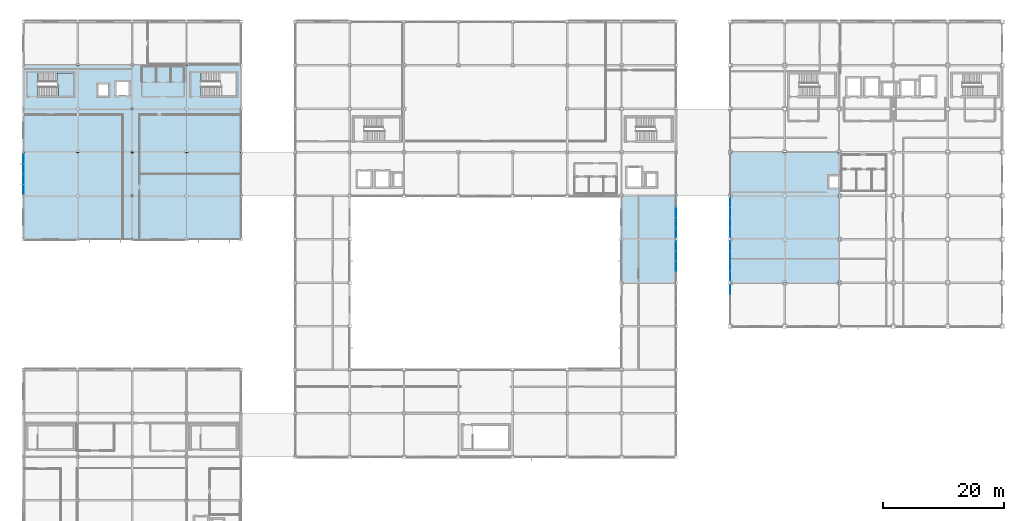
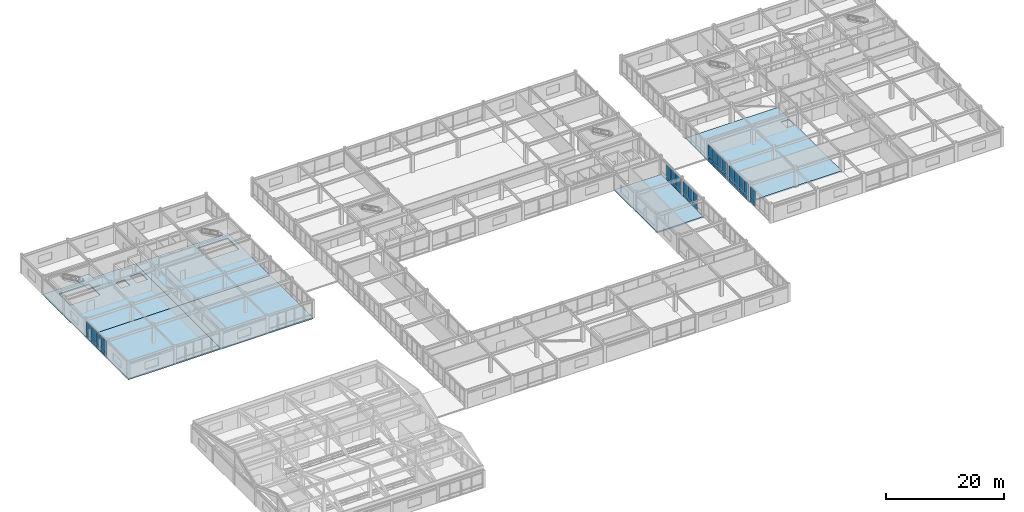
# One storey, part 87 of 113: 38 plates, 7 slabs, 7 elements without a shape of their own.
"""IFC4 building model written with IfcOpenShell, lengths in metres."""

from ifc_helpers import new_model, si_unit, direction, frame, origin, origin_2d, place, context, subcontext, project, spatial, polyline, rectangle, outline, extrude, material, layer, layer_set, type_object, element, aggregate, save


model = new_model("IFC4")

# Units and contexts
model_context = context("Model", 3, precision=1e-05, world=origin(), true_north=direction((0.0, 1.0)))
body_context = subcontext(model_context, "Body", "Model", "MODEL_VIEW")
ifc_project = project(units=[si_unit("LENGTHUNIT", "METRE"), si_unit("AREAUNIT", "SQUARE_METRE"), si_unit("VOLUMEUNIT", "CUBIC_METRE"), si_unit("PLANEANGLEUNIT", "RADIAN"), si_unit("MASSUNIT", "GRAM", prefix="KILO")], contexts=[model_context])

# Site, building, storey
site_placement = place(None, origin())
site = spatial("IfcSite", under=ifc_project, at=site_placement, CompositionType="ELEMENT")
building_placement = place(site_placement, origin())
building = spatial("IfcBuilding", under=site, at=building_placement, Name="Kazanami Central Library", CompositionType="ELEMENT")
storey_placement = place(building_placement, frame((0.0, 0.0, 8.800048828125)))
storey = spatial("IfcBuildingStorey", under=building, at=storey_placement, Name="L03", CompositionType="ELEMENT", Elevation=8.800048828125)

# Curtain wall, plates
ifc_material_1 = material(Name="Acid-Etched Low-E Laminated Glass", Category="glass")
curtain_wall_type_1 = type_object("IfcCurtainWallType", Name="CW-6750x3295-M180", PredefinedType="USERDEFINED", material=ifc_material_1)
curtain_wall_1_placement = place(storey_placement, origin())
curtain_wall_1 = element("IfcCurtainWall", 1, at=curtain_wall_1_placement, inside=storey, type_object=curtain_wall_type_1, Name="Unitised Curtain Wall CW-32 L03 W-1-09", ObjectType="UNITISED CURTAIN WALL", PredefinedType="USERDEFINED")
ifc_layer_1 = layer(ifc_material_1, 0.0439453125, Name="Acid-Etched Low-E Laminated Glass")
ifc_layer_set_1 = layer_set([ifc_layer_1], Name="Acid-Etched Low-E Laminated Glass")
plate_type_1 = type_object("IfcPlateType", Name="PLT-CW-P2", PredefinedType="CURTAIN_PANEL", material=ifc_layer_set_1)
plate_1_placement = place(storey_placement, frame((0.0, 65.8837890625, 0.81005859375), z_axis=(0.0, 0.0, 1.0), x_axis=(0.0, 1.0, 0.0)))
plate_1 = element("IfcPlate", 2, at=plate_1_placement, type_object=plate_type_1, Name="CW-32 panel 1.2", PredefinedType="CURTAIN_PANEL", context=body_context, shape_type="SweptSolid", body=[
    extrude(rectangle(XDim=1.597412109375, YDim=0.0439453125, at=origin_2d()), origin(), (0.0, 0.0, 1.0), 2.425048828125),
])
plate_2_placement = place(storey_placement, frame((0.0, 67.55615234375, 0.81005859375), z_axis=(0.0, 0.0, 1.0), x_axis=(0.0, 1.0, 0.0)))
plate_2 = element("IfcPlate", 3, at=plate_2_placement, type_object=plate_type_1, Name="CW-32 panel 2.2", PredefinedType="CURTAIN_PANEL", context=body_context, shape_type="SweptSolid", body=[
    extrude(rectangle(XDim=1.62744140625, YDim=0.0439453125, at=origin_2d()), origin(), (0.0, 0.0, 1.0), 2.425048828125),
])
plate_3_placement = place(storey_placement, frame((0.0, 69.24365234375, 0.81005859375), z_axis=(0.0, 0.0, 1.0), x_axis=(0.0, 1.0, 0.0)))
plate_3 = element("IfcPlate", 4, at=plate_3_placement, type_object=plate_type_1, Name="CW-32 panel 3.2", PredefinedType="CURTAIN_PANEL", context=body_context, shape_type="SweptSolid", body=[
    extrude(rectangle(XDim=1.62744140625, YDim=0.0439453125, at=origin_2d()), origin(), (0.0, 0.0, 1.0), 2.425048828125),
])
plate_4_placement = place(storey_placement, frame((0.0, 70.916259765625, 0.81005859375), z_axis=(0.0, 0.0, 1.0), x_axis=(0.0, 1.0, 0.0)))
plate_4 = element("IfcPlate", 5, at=plate_4_placement, type_object=plate_type_1, Name="CW-32 panel 4.2", PredefinedType="CURTAIN_PANEL", context=body_context, shape_type="SweptSolid", body=[
    extrude(rectangle(XDim=1.597412109375, YDim=0.0439453125, at=origin_2d()), origin(), (0.0, 0.0, 1.0), 2.425048828125),
])

curtain_wall_2_placement = place(storey_placement, origin())
curtain_wall_2 = element("IfcCurtainWall", 6, at=curtain_wall_2_placement, inside=storey, type_object=curtain_wall_type_1, Name="Covered Link Bridge Curtain Wall CW-32 L03 E-13-07", ObjectType="UNITISED CURTAIN WALL", PredefinedType="USERDEFINED")
ifc_material_2 = material(Name="Low-E Insulated Triple Glass", Category="glass")
ifc_layer_2 = layer(ifc_material_2, 0.0400390625, Name="Low-E Insulated Triple Glass")
ifc_layer_set_2 = layer_set([ifc_layer_2], Name="Low-E Insulated Triple Glass")
plate_type_2 = type_object("IfcPlateType", Name="PLT-CW-P3", PredefinedType="CURTAIN_PANEL", material=ifc_layer_set_2)
plate_5_placement = place(storey_placement, frame((108.0, 56.513671875, 0.81494140625), z_axis=(0.0, 0.0, 1.0), x_axis=(0.0, -1.0, 0.0)))
plate_5 = element("IfcPlate", 7, at=plate_5_placement, type_object=plate_type_2, Name="CW-32 panel 1.2", PredefinedType="CURTAIN_PANEL", context=body_context, shape_type="SweptSolid", body=[
    extrude(rectangle(XDim=1.58251953125, YDim=0.0400390625, at=origin_2d()), origin(), (0.0, 0.0, 1.0), 2.409912109375),
])
plate_6_placement = place(storey_placement, frame((108.0, 54.84375, 0.81494140625), z_axis=(0.0, 0.0, 1.0), x_axis=(0.0, -1.0, 0.0)))
plate_6 = element("IfcPlate", 8, at=plate_6_placement, type_object=plate_type_2, Name="CW-32 panel 2.2", PredefinedType="CURTAIN_PANEL", context=body_context, shape_type="SweptSolid", body=[
    extrude(rectangle(XDim=1.617431640625, YDim=0.0400390625, at=origin_2d()), origin(), (0.0, 0.0, 1.0), 2.409912109375),
])
plate_7_placement = place(storey_placement, frame((108.0, 53.15625, 0.81494140625), z_axis=(0.0, 0.0, 1.0), x_axis=(0.0, -1.0, 0.0)))
plate_7 = element("IfcPlate", 9, at=plate_7_placement, type_object=plate_type_2, Name="CW-32 panel 3.2", PredefinedType="CURTAIN_PANEL", context=body_context, shape_type="SweptSolid", body=[
    extrude(rectangle(XDim=1.617431640625, YDim=0.0400390625, at=origin_2d()), origin(), (0.0, 0.0, 1.0), 2.409912109375),
])

curtain_wall_3_placement = place(storey_placement, origin())
curtain_wall_3 = element("IfcCurtainWall", 10, at=curtain_wall_3_placement, inside=storey, type_object=curtain_wall_type_1, Name="Covered Link Bridge Curtain Wall CW-32 L03 E-13-08", ObjectType="UNITISED CURTAIN WALL", PredefinedType="USERDEFINED")
plate_8_placement = place(storey_placement, frame((108.0, 62.043701171875, 0.81494140625), z_axis=(0.0, 0.0, 1.0), x_axis=(0.0, -1.0, 0.0)))
plate_8 = element("IfcPlate", 11, at=plate_8_placement, type_object=plate_type_2, Name="CW-32 panel 2.2", PredefinedType="CURTAIN_PANEL", context=body_context, shape_type="SweptSolid", body=[
    extrude(rectangle(XDim=1.617431640625, YDim=0.0400390625, at=origin_2d()), origin(), (0.0, 0.0, 1.0), 2.409912109375),
])
plate_9_placement = place(storey_placement, frame((108.0, 60.356201171875, 0.81494140625), z_axis=(0.0, 0.0, 1.0), x_axis=(0.0, -1.0, 0.0)))
plate_9 = element("IfcPlate", 12, at=plate_9_placement, type_object=plate_type_2, Name="CW-32 panel 3.2", PredefinedType="CURTAIN_PANEL", context=body_context, shape_type="SweptSolid", body=[
    extrude(rectangle(XDim=1.617431640625, YDim=0.0400390625, at=origin_2d()), origin(), (0.0, 0.0, 1.0), 2.409912109375),
])
plate_10_placement = place(storey_placement, frame((108.0, 58.686279296875, 0.81494140625), z_axis=(0.0, 0.0, 1.0), x_axis=(0.0, -1.0, 0.0)))
plate_10 = element("IfcPlate", 13, at=plate_10_placement, type_object=plate_type_2, Name="CW-32 panel 4.2", PredefinedType="CURTAIN_PANEL", context=body_context, shape_type="SweptSolid", body=[
    extrude(rectangle(XDim=1.58251953125, YDim=0.0400390625, at=origin_2d()), origin(), (0.0, 0.0, 1.0), 2.409912109375),
])

# Curtain wall, plate
curtain_wall_type_2 = type_object("IfcCurtainWallType", Name="CW-6600x3295-M180", PredefinedType="USERDEFINED", material=ifc_material_1)
curtain_wall_4_placement = place(storey_placement, origin())
curtain_wall_4 = element("IfcCurtainWall", 14, at=curtain_wall_4_placement, inside=storey, type_object=curtain_wall_type_2, Name="Covered Link Bridge Curtain Wall CW-36 L03 W-14-06", ObjectType="UNITISED CURTAIN WALL", PredefinedType="USERDEFINED")
plate_11_placement = place(storey_placement, frame((117.0, 49.260009765625, 0.81005859375), z_axis=(0.0, 0.0, 1.0), x_axis=(0.0, 1.0, 0.0)))
plate_11 = element("IfcPlate", 15, at=plate_11_placement, type_object=plate_type_2, Name="CW-36 panel 4.2", PredefinedType="CURTAIN_PANEL", context=body_context, shape_type="SweptSolid", body=[
    extrude(rectangle(XDim=1.56005859375, YDim=0.0400390625, at=origin_2d()), origin(), (0.0, 0.0, 1.0), 2.425048828125),
])

# Curtain wall, plates
curtain_wall_5_placement = place(storey_placement, origin())
curtain_wall_5 = element("IfcCurtainWall", 16, at=curtain_wall_5_placement, inside=storey, type_object=curtain_wall_type_2, Name="Covered Link Bridge Curtain Wall CW-36 L03 W-14-07", ObjectType="UNITISED CURTAIN WALL", PredefinedType="USERDEFINED")
plate_12_placement = place(storey_placement, frame((117.0, 51.5400390625, 0.81005859375), z_axis=(0.0, 0.0, 1.0), x_axis=(0.0, 1.0, 0.0)))
plate_12 = element("IfcPlate", 17, at=plate_12_placement, type_object=plate_type_2, Name="CW-36 panel 1.2", PredefinedType="CURTAIN_PANEL", context=body_context, shape_type="SweptSolid", body=[
    extrude(rectangle(XDim=1.56005859375, YDim=0.0400390625, at=origin_2d()), origin(), (0.0, 0.0, 1.0), 2.425048828125),
])
plate_13_placement = place(storey_placement, frame((117.0, 53.175048828125, 0.81005859375), z_axis=(0.0, 0.0, 1.0), x_axis=(0.0, 1.0, 0.0)))
plate_13 = element("IfcPlate", 18, at=plate_13_placement, type_object=plate_type_2, Name="CW-36 panel 2.2", PredefinedType="CURTAIN_PANEL", context=body_context, shape_type="SweptSolid", body=[
    extrude(rectangle(XDim=1.590087890625, YDim=0.0400390625, at=origin_2d()), origin(), (0.0, 0.0, 1.0), 2.425048828125),
])
plate_14_placement = place(storey_placement, frame((117.0, 54.824951171875, 0.81005859375), z_axis=(0.0, 0.0, 1.0), x_axis=(0.0, 1.0, 0.0)))
plate_14 = element("IfcPlate", 19, at=plate_14_placement, type_object=plate_type_2, Name="CW-36 panel 3.2", PredefinedType="CURTAIN_PANEL", context=body_context, shape_type="SweptSolid", body=[
    extrude(rectangle(XDim=1.590087890625, YDim=0.0400390625, at=origin_2d()), origin(), (0.0, 0.0, 1.0), 2.425048828125),
])
plate_15_placement = place(storey_placement, frame((117.0, 56.4599609375, 0.81005859375), z_axis=(0.0, 0.0, 1.0), x_axis=(0.0, 1.0, 0.0)))
plate_15 = element("IfcPlate", 20, at=plate_15_placement, type_object=plate_type_2, Name="CW-36 panel 4.2", PredefinedType="CURTAIN_PANEL", context=body_context, shape_type="SweptSolid", body=[
    extrude(rectangle(XDim=1.56005859375, YDim=0.0400390625, at=origin_2d()), origin(), (0.0, 0.0, 1.0), 2.425048828125),
])

curtain_wall_6_placement = place(storey_placement, origin())
curtain_wall_6 = element("IfcCurtainWall", 21, at=curtain_wall_6_placement, inside=storey, type_object=curtain_wall_type_2, Name="Covered Link Bridge Curtain Wall CW-36 L03 W-14-08", ObjectType="UNITISED CURTAIN WALL", PredefinedType="USERDEFINED")
plate_16_placement = place(storey_placement, frame((117.0, 58.739990234375, 0.81005859375), z_axis=(0.0, 0.0, 1.0), x_axis=(0.0, 1.0, 0.0)))
plate_16 = element("IfcPlate", 22, at=plate_16_placement, type_object=plate_type_2, Name="CW-36 panel 1.2", PredefinedType="CURTAIN_PANEL", context=body_context, shape_type="SweptSolid", body=[
    extrude(rectangle(XDim=1.56005859375, YDim=0.0400390625, at=origin_2d()), origin(), (0.0, 0.0, 1.0), 2.425048828125),
])
plate_17_placement = place(storey_placement, frame((117.0, 60.375, 0.81005859375), z_axis=(0.0, 0.0, 1.0), x_axis=(0.0, 1.0, 0.0)))
plate_17 = element("IfcPlate", 23, at=plate_17_placement, type_object=plate_type_2, Name="CW-36 panel 2.2", PredefinedType="CURTAIN_PANEL", context=body_context, shape_type="SweptSolid", body=[
    extrude(rectangle(XDim=1.590087890625, YDim=0.0400390625, at=origin_2d()), origin(), (0.0, 0.0, 1.0), 2.425048828125),
])
plate_18_placement = place(storey_placement, frame((117.0, 62.02490234375, 0.81005859375), z_axis=(0.0, 0.0, 1.0), x_axis=(0.0, 1.0, 0.0)))
plate_18 = element("IfcPlate", 24, at=plate_18_placement, type_object=plate_type_2, Name="CW-36 panel 3.2", PredefinedType="CURTAIN_PANEL", context=body_context, shape_type="SweptSolid", body=[
    extrude(rectangle(XDim=1.590087890625, YDim=0.0400390625, at=origin_2d()), origin(), (0.0, 0.0, 1.0), 2.425048828125),
])
plate_19_placement = place(storey_placement, frame((117.0, 63.659912109375, 0.81005859375), z_axis=(0.0, 0.0, 1.0), x_axis=(0.0, 1.0, 0.0)))
plate_19 = element("IfcPlate", 25, at=plate_19_placement, type_object=plate_type_2, Name="CW-36 panel 4.2", PredefinedType="CURTAIN_PANEL", context=body_context, shape_type="SweptSolid", body=[
    extrude(rectangle(XDim=1.56005859375, YDim=0.0400390625, at=origin_2d()), origin(), (0.0, 0.0, 1.0), 2.425048828125),
])

# Plate
ifc_material_3 = material(Name="Anodised Aluminium A5052-H32", Category="aluminium")
ifc_layer_3 = layer(ifc_material_3, 0.06005859375, Name="Anodised Aluminium A5052-H32")
ifc_layer_set_3 = layer_set([ifc_layer_3], Name="Anodised Aluminium A5052-H32")
plate_type_3 = type_object("IfcPlateType", Name="PLT-CW-SP1", PredefinedType="CURTAIN_PANEL", material=ifc_layer_set_3)
plate_20_placement = place(storey_placement, frame((108.0, 56.513671875, 0.06982421875), z_axis=(0.0, 0.0, 1.0), x_axis=(0.0, -1.0, 0.0)))
plate_20 = element("IfcPlate", 26, at=plate_20_placement, type_object=plate_type_3, Name="CW-32 panel 1.1", PredefinedType="CURTAIN_PANEL", context=body_context, shape_type="SweptSolid", body=[
    extrude(rectangle(XDim=1.58251953125, YDim=0.06005859375, at=origin_2d()), origin(), (0.0, 0.0, 1.0), 0.675048828125),
])

plate_21_placement = place(storey_placement, frame((108.0, 54.84375, 0.06982421875), z_axis=(0.0, 0.0, 1.0), x_axis=(0.0, -1.0, 0.0)))
plate_21 = element("IfcPlate", 27, at=plate_21_placement, type_object=plate_type_3, Name="CW-32 panel 2.1", PredefinedType="CURTAIN_PANEL", context=body_context, shape_type="SweptSolid", body=[
    extrude(rectangle(XDim=1.617431640625, YDim=0.06005859375, at=origin_2d()), origin(), (0.0, 0.0, 1.0), 0.675048828125),
])

plate_22_placement = place(storey_placement, frame((108.0, 53.15625, 0.06982421875), z_axis=(0.0, 0.0, 1.0), x_axis=(0.0, -1.0, 0.0)))
plate_22 = element("IfcPlate", 28, at=plate_22_placement, type_object=plate_type_3, Name="CW-32 panel 3.1", PredefinedType="CURTAIN_PANEL", context=body_context, shape_type="SweptSolid", body=[
    extrude(rectangle(XDim=1.617431640625, YDim=0.06005859375, at=origin_2d()), origin(), (0.0, 0.0, 1.0), 0.675048828125),
])

aggregate(curtain_wall_2, [plate_20, plate_5, plate_21, plate_6, plate_22, plate_7])

plate_23_placement = place(storey_placement, frame((108.0, 62.043701171875, 0.06982421875), z_axis=(0.0, 0.0, 1.0), x_axis=(0.0, -1.0, 0.0)))
plate_23 = element("IfcPlate", 29, at=plate_23_placement, type_object=plate_type_3, Name="CW-32 panel 2.1", PredefinedType="CURTAIN_PANEL", context=body_context, shape_type="SweptSolid", body=[
    extrude(rectangle(XDim=1.617431640625, YDim=0.06005859375, at=origin_2d()), origin(), (0.0, 0.0, 1.0), 0.675048828125),
])

plate_24_placement = place(storey_placement, frame((108.0, 60.356201171875, 0.06982421875), z_axis=(0.0, 0.0, 1.0), x_axis=(0.0, -1.0, 0.0)))
plate_24 = element("IfcPlate", 30, at=plate_24_placement, type_object=plate_type_3, Name="CW-32 panel 3.1", PredefinedType="CURTAIN_PANEL", context=body_context, shape_type="SweptSolid", body=[
    extrude(rectangle(XDim=1.617431640625, YDim=0.06005859375, at=origin_2d()), origin(), (0.0, 0.0, 1.0), 0.675048828125),
])

plate_25_placement = place(storey_placement, frame((108.0, 58.686279296875, 0.06982421875), z_axis=(0.0, 0.0, 1.0), x_axis=(0.0, -1.0, 0.0)))
plate_25 = element("IfcPlate", 31, at=plate_25_placement, type_object=plate_type_3, Name="CW-32 panel 4.1", PredefinedType="CURTAIN_PANEL", context=body_context, shape_type="SweptSolid", body=[
    extrude(rectangle(XDim=1.58251953125, YDim=0.06005859375, at=origin_2d()), origin(), (0.0, 0.0, 1.0), 0.675048828125),
])

aggregate(curtain_wall_3, [plate_23, plate_8, plate_24, plate_9, plate_25, plate_10])

ifc_layer_4 = layer(ifc_material_3, 0.052001953125, Name="Anodised Aluminium A5052-H32")
ifc_layer_set_4 = layer_set([ifc_layer_4], Name="Anodised Aluminium A5052-H32")
plate_type_4 = type_object("IfcPlateType", Name="PLT-CW-SP2", PredefinedType="CURTAIN_PANEL", material=ifc_layer_set_4)
plate_26_placement = place(storey_placement, frame((117.0, 49.260009765625, 0.06005859375), z_axis=(0.0, 0.0, 1.0), x_axis=(0.0, 1.0, 0.0)))
plate_26 = element("IfcPlate", 32, at=plate_26_placement, type_object=plate_type_4, Name="CW-36 panel 4.1", PredefinedType="CURTAIN_PANEL", context=body_context, shape_type="SweptSolid", body=[
    extrude(rectangle(XDim=1.56005859375, YDim=0.052001953125, at=origin_2d()), origin(), (0.0, 0.0, 1.0), 0.68994140625),
])

aggregate(curtain_wall_4, [plate_26, plate_11])

plate_27_placement = place(storey_placement, frame((117.0, 51.5400390625, 0.06005859375), z_axis=(0.0, 0.0, 1.0), x_axis=(0.0, 1.0, 0.0)))
plate_27 = element("IfcPlate", 33, at=plate_27_placement, type_object=plate_type_4, Name="CW-36 panel 1.1", PredefinedType="CURTAIN_PANEL", context=body_context, shape_type="SweptSolid", body=[
    extrude(rectangle(XDim=1.56005859375, YDim=0.052001953125, at=origin_2d()), origin(), (0.0, 0.0, 1.0), 0.68994140625),
])

plate_28_placement = place(storey_placement, frame((117.0, 53.175048828125, 0.06005859375), z_axis=(0.0, 0.0, 1.0), x_axis=(0.0, 1.0, 0.0)))
plate_28 = element("IfcPlate", 34, at=plate_28_placement, type_object=plate_type_4, Name="CW-36 panel 2.1", PredefinedType="CURTAIN_PANEL", context=body_context, shape_type="SweptSolid", body=[
    extrude(rectangle(XDim=1.590087890625, YDim=0.052001953125, at=origin_2d()), origin(), (0.0, 0.0, 1.0), 0.68994140625),
])

plate_29_placement = place(storey_placement, frame((117.0, 54.824951171875, 0.06005859375), z_axis=(0.0, 0.0, 1.0), x_axis=(0.0, 1.0, 0.0)))
plate_29 = element("IfcPlate", 35, at=plate_29_placement, type_object=plate_type_4, Name="CW-36 panel 3.1", PredefinedType="CURTAIN_PANEL", context=body_context, shape_type="SweptSolid", body=[
    extrude(rectangle(XDim=1.590087890625, YDim=0.052001953125, at=origin_2d()), origin(), (0.0, 0.0, 1.0), 0.68994140625),
])

plate_30_placement = place(storey_placement, frame((117.0, 56.4599609375, 0.06005859375), z_axis=(0.0, 0.0, 1.0), x_axis=(0.0, 1.0, 0.0)))
plate_30 = element("IfcPlate", 36, at=plate_30_placement, type_object=plate_type_4, Name="CW-36 panel 4.1", PredefinedType="CURTAIN_PANEL", context=body_context, shape_type="SweptSolid", body=[
    extrude(rectangle(XDim=1.56005859375, YDim=0.052001953125, at=origin_2d()), origin(), (0.0, 0.0, 1.0), 0.68994140625),
])

aggregate(curtain_wall_5, [plate_27, plate_12, plate_28, plate_13, plate_29, plate_14, plate_30, plate_15])

plate_31_placement = place(storey_placement, frame((117.0, 58.739990234375, 0.06005859375), z_axis=(0.0, 0.0, 1.0), x_axis=(0.0, 1.0, 0.0)))
plate_31 = element("IfcPlate", 37, at=plate_31_placement, type_object=plate_type_4, Name="CW-36 panel 1.1", PredefinedType="CURTAIN_PANEL", context=body_context, shape_type="SweptSolid", body=[
    extrude(rectangle(XDim=1.56005859375, YDim=0.052001953125, at=origin_2d()), origin(), (0.0, 0.0, 1.0), 0.68994140625),
])

plate_32_placement = place(storey_placement, frame((117.0, 60.375, 0.06005859375), z_axis=(0.0, 0.0, 1.0), x_axis=(0.0, 1.0, 0.0)))
plate_32 = element("IfcPlate", 38, at=plate_32_placement, type_object=plate_type_4, Name="CW-36 panel 2.1", PredefinedType="CURTAIN_PANEL", context=body_context, shape_type="SweptSolid", body=[
    extrude(rectangle(XDim=1.590087890625, YDim=0.052001953125, at=origin_2d()), origin(), (0.0, 0.0, 1.0), 0.68994140625),
])

plate_33_placement = place(storey_placement, frame((117.0, 62.02490234375, 0.06005859375), z_axis=(0.0, 0.0, 1.0), x_axis=(0.0, 1.0, 0.0)))
plate_33 = element("IfcPlate", 39, at=plate_33_placement, type_object=plate_type_4, Name="CW-36 panel 3.1", PredefinedType="CURTAIN_PANEL", context=body_context, shape_type="SweptSolid", body=[
    extrude(rectangle(XDim=1.590087890625, YDim=0.052001953125, at=origin_2d()), origin(), (0.0, 0.0, 1.0), 0.68994140625),
])

plate_34_placement = place(storey_placement, frame((117.0, 63.659912109375, 0.06005859375), z_axis=(0.0, 0.0, 1.0), x_axis=(0.0, 1.0, 0.0)))
plate_34 = element("IfcPlate", 40, at=plate_34_placement, type_object=plate_type_4, Name="CW-36 panel 4.1", PredefinedType="CURTAIN_PANEL", context=body_context, shape_type="SweptSolid", body=[
    extrude(rectangle(XDim=1.56005859375, YDim=0.052001953125, at=origin_2d()), origin(), (0.0, 0.0, 1.0), 0.68994140625),
])

aggregate(curtain_wall_6, [plate_31, plate_16, plate_32, plate_17, plate_33, plate_18, plate_34, plate_19])

ifc_layer_5 = layer(ifc_material_3, 0.048095703125, Name="Anodised Aluminium A5052-H32")
ifc_layer_set_5 = layer_set([ifc_layer_5], Name="Anodised Aluminium A5052-H32")
plate_type_5 = type_object("IfcPlateType", Name="PLT-CW-SP3", PredefinedType="CURTAIN_PANEL", material=ifc_layer_set_5)
plate_35_placement = place(storey_placement, frame((0.0, 65.8837890625, 0.06005859375), z_axis=(0.0, 0.0, 1.0), x_axis=(0.0, 1.0, 0.0)))
plate_35 = element("IfcPlate", 41, at=plate_35_placement, type_object=plate_type_5, Name="CW-32 panel 1.1", PredefinedType="CURTAIN_PANEL", context=body_context, shape_type="SweptSolid", body=[
    extrude(rectangle(XDim=1.597412109375, YDim=0.048095703125, at=origin_2d()), origin(), (0.0, 0.0, 1.0), 0.68994140625),
])

plate_36_placement = place(storey_placement, frame((0.0, 67.55615234375, 0.06005859375), z_axis=(0.0, 0.0, 1.0), x_axis=(0.0, 1.0, 0.0)))
plate_36 = element("IfcPlate", 42, at=plate_36_placement, type_object=plate_type_5, Name="CW-32 panel 2.1", PredefinedType="CURTAIN_PANEL", context=body_context, shape_type="SweptSolid", body=[
    extrude(rectangle(XDim=1.62744140625, YDim=0.048095703125, at=origin_2d()), origin(), (0.0, 0.0, 1.0), 0.68994140625),
])

plate_37_placement = place(storey_placement, frame((0.0, 69.24365234375, 0.06005859375), z_axis=(0.0, 0.0, 1.0), x_axis=(0.0, 1.0, 0.0)))
plate_37 = element("IfcPlate", 43, at=plate_37_placement, type_object=plate_type_5, Name="CW-32 panel 3.1", PredefinedType="CURTAIN_PANEL", context=body_context, shape_type="SweptSolid", body=[
    extrude(rectangle(XDim=1.62744140625, YDim=0.048095703125, at=origin_2d()), origin(), (0.0, 0.0, 1.0), 0.68994140625),
])

plate_38_placement = place(storey_placement, frame((0.0, 70.916259765625, 0.06005859375), z_axis=(0.0, 0.0, 1.0), x_axis=(0.0, 1.0, 0.0)))
plate_38 = element("IfcPlate", 44, at=plate_38_placement, type_object=plate_type_5, Name="CW-32 panel 4.1", PredefinedType="CURTAIN_PANEL", context=body_context, shape_type="SweptSolid", body=[
    extrude(rectangle(XDim=1.597412109375, YDim=0.048095703125, at=origin_2d()), origin(), (0.0, 0.0, 1.0), 0.68994140625),
])

aggregate(curtain_wall_1, [plate_35, plate_1, plate_36, plate_2, plate_37, plate_3, plate_38, plate_4])

# Slabs
ifc_material_4 = material(Name="Concrete Fc36 (36 MPa)", Category="concrete")
ifc_layer_6 = layer(ifc_material_4, 0.2451171875, Name="Concrete Fc36 (36 MPa)")
ifc_layer_set_6 = layer_set([ifc_layer_6], Name="Concrete Fc36 (36 MPa)")
slab_type_1 = type_object("IfcSlabType", Name="SLB-FLR-245", PredefinedType="FLOOR", material=ifc_layer_set_6)
slab_1_placement = place(storey_placement, frame((0.0, 0.0, -0.2451171875)))
element("IfcSlab", 45, at=slab_1_placement, inside=storey, type_object=slab_type_1, Name="Composite Floor Slab L03 V4-RES Zone 5", PredefinedType="FLOOR", context=body_context, shape_type="SweptSolid", body=[
    extrude(outline(polyline([(0.0, 57.60009765625), (18.0, 57.60009765625), (18.0, 72.0), (0.0, 72.0), (0.0, 57.60009765625)])), origin(), (0.0, 0.0, 1.0), 0.2451171875),
])
slab_2_placement = place(storey_placement, frame((0.0, 0.0, -0.2451171875)))
element("IfcSlab", 46, at=slab_2_placement, inside=storey, type_object=slab_type_1, Name="Composite Floor Slab L03 V4-RES Zone 6", PredefinedType="FLOOR", context=body_context, shape_type="SweptSolid", body=[
    extrude(outline(polyline([(0.0, 72.0), (18.0, 72.0), (18.0, 86.39990234375), (0.0, 86.39990234375), (0.0, 72.0)]), holes=[polyline([(2.39990234375, 81.35009765625), (8.25, 81.35009765625), (8.25, 85.14990234375), (2.39990234375, 85.14990234375), (2.39990234375, 81.35009765625)]), polyline([(15.375, 81.375), (17.425048828125, 81.375), (17.425048828125, 83.625), (15.375, 83.625), (15.375, 81.375)]), polyline([(12.35009765625, 81.35009765625), (14.050048828125, 81.35009765625), (14.050048828125, 83.25), (12.35009765625, 83.25), (12.35009765625, 81.35009765625)])]), origin(), (0.0, 0.0, 1.0), 0.2451171875),
])
slab_3_placement = place(storey_placement, frame((0.0, 0.0, -0.2451171875)))
element("IfcSlab", 47, at=slab_3_placement, inside=storey, type_object=slab_type_1, Name="Composite Floor Slab L03 V4-RES Zone 8", PredefinedType="FLOOR", context=body_context, shape_type="SweptSolid", body=[
    extrude(outline(polyline([(18.0, 57.60009765625), (36.0, 57.60009765625), (36.0, 72.0), (18.0, 72.0), (18.0, 57.60009765625)])), origin(), (0.0, 0.0, 1.0), 0.2451171875),
])
slab_4_placement = place(storey_placement, frame((0.0, 0.0, -0.2451171875)))
element("IfcSlab", 48, at=slab_4_placement, inside=storey, type_object=slab_type_1, Name="Composite Floor Slab L03 V4-RES Zone 9", PredefinedType="FLOOR", context=body_context, shape_type="SweptSolid", body=[
    extrude(outline(polyline([(18.0, 72.0), (36.0, 72.0), (36.0, 86.39990234375), (18.0, 86.39990234375), (18.0, 72.0)]), holes=[polyline([(29.39990234375, 81.35009765625), (35.25, 81.35009765625), (35.25, 85.14990234375), (29.39990234375, 85.14990234375), (29.39990234375, 81.35009765625)])]), origin(), (0.0, 0.0, 1.0), 0.2451171875),
])
slab_5_placement = place(storey_placement, frame((0.0, 0.0, -0.2451171875)))
element("IfcSlab", 49, at=slab_5_placement, inside=storey, type_object=slab_type_1, Name="Composite Floor Slab L03 V1-EAST Zone 17", PredefinedType="FLOOR", context=body_context, shape_type="SweptSolid", body=[
    extrude(outline(polyline([(99.0, 50.39990234375), (108.0, 50.39990234375), (108.0, 64.800048828125), (99.0, 64.800048828125), (99.0, 50.39990234375)])), origin(), (0.0, 0.0, 1.0), 0.2451171875),
])
slab_6_placement = place(storey_placement, frame((0.0, 0.0, -0.2451171875)))
element("IfcSlab", 50, at=slab_6_placement, inside=storey, type_object=slab_type_1, Name="Composite Floor Slab L03 V2-MAIN Zone 28", PredefinedType="FLOOR", context=body_context, shape_type="SweptSolid", body=[
    extrude(outline(polyline([(117.0, 50.39990234375), (135.0, 50.39990234375), (135.0, 72.0), (117.0, 72.0), (117.0, 50.39990234375)]), holes=[polyline([(133.35009765625, 66.14990234375), (134.85009765625, 66.14990234375), (134.85009765625, 68.050048828125), (133.35009765625, 68.050048828125), (133.35009765625, 66.14990234375)])]), origin(), (0.0, 0.0, 1.0), 0.2451171875),
])

# Stair, slab
stair_type = type_object("IfcStairType", Name="STR-T40", PredefinedType="HALF_TURN_STAIR", material=ifc_material_4)
stair_placement = place(storey_placement, origin())
stair = element("IfcStair", 51, at=stair_placement, inside=storey, type_object=stair_type, Name="Enclosed Escape Stair ST-05 (L03)", PredefinedType="HALF_TURN_STAIR")
ifc_layer_7 = layer(ifc_material_4, 0.179931640625, Name="Concrete Fc36 (36 MPa)")
ifc_layer_set_7 = layer_set([ifc_layer_7], Name="Concrete Fc36 (36 MPa)")
slab_type_2 = type_object("IfcSlabType", Name="SLB-LND-180", PredefinedType="LANDING", material=ifc_layer_set_7)
slab_7_placement = place(storey_placement, frame((0.0, 0.0, 1.89990234375)))
slab_7 = element("IfcSlab", 52, at=slab_7_placement, type_object=slab_type_2, Name="ST-05 landing 1", PredefinedType="LANDING", context=body_context, shape_type="SweptSolid", body=[
    extrude(outline(polyline([(5.827880859375, 81.35009765625), (8.25, 81.35009765625), (8.25, 85.14990234375), (5.548095703125, 85.14990234375), (5.548095703125, 83.25), (5.827880859375, 83.25), (5.827880859375, 81.35009765625)])), origin(), (0.0, 0.0, 1.0), 0.179931640625),
])
aggregate(stair, [slab_7])

save(model, "model.ifc")
